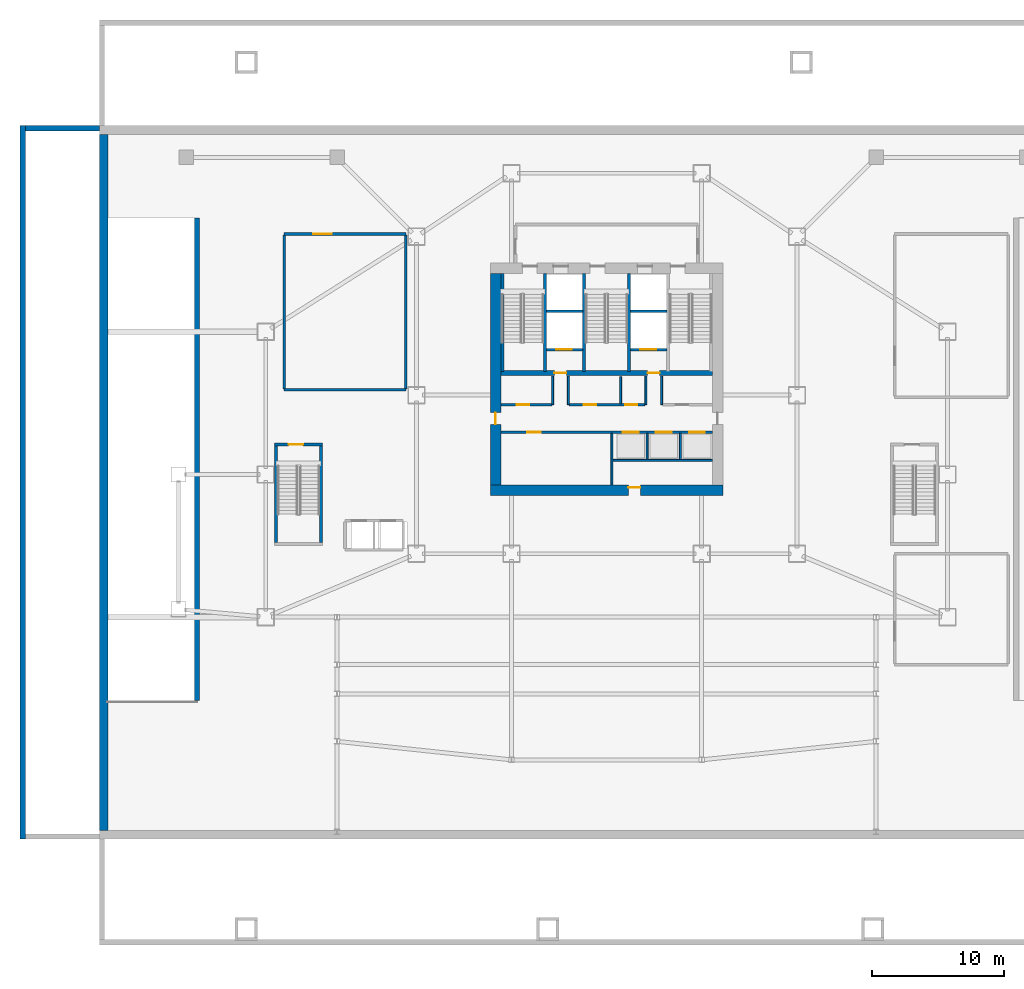
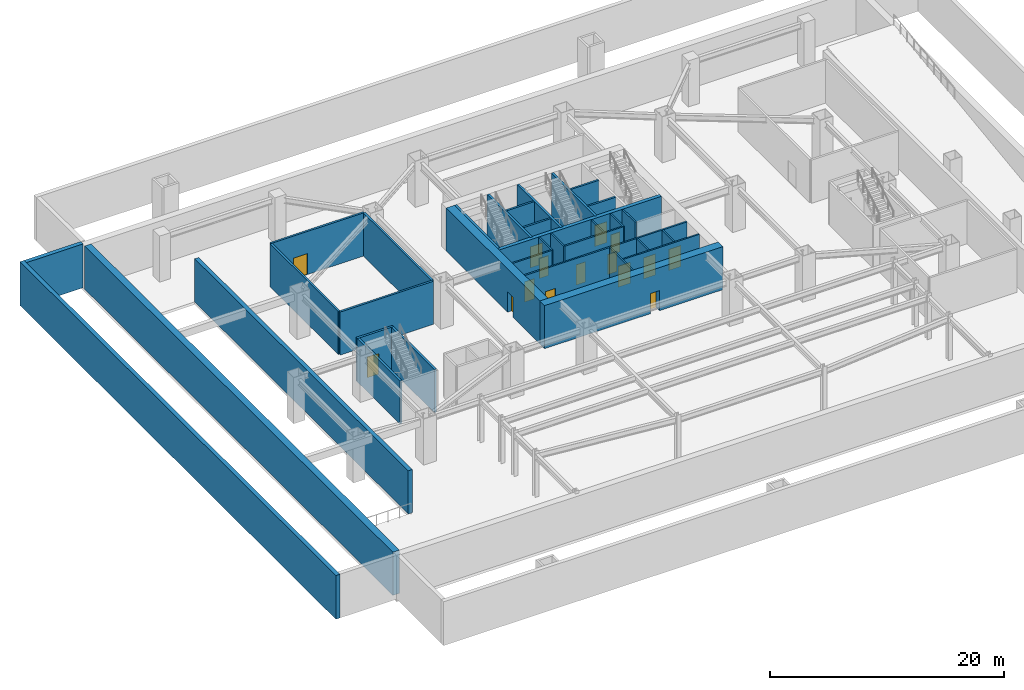
# One storey, part 7 of 15: 34 walls, 15 doors, 15 openings.
"""IFC4 building model written with IfcOpenShell, lengths in metres."""

from ifc_helpers import new_model, si_unit, direction, frame, frame_2d, origin, place, context, subcontext, project, spatial, rectangle, extrude, material, layer, layer_set, type_object, element, fill, save


model = new_model("IFC4")

# Units and contexts
model_context = context("Model", 3, precision=1e-05, world=origin(), true_north=direction((0.0, 1.0)))
body_context = subcontext(model_context, "Body", "Model", "MODEL_VIEW")
ifc_project = project(units=[si_unit("LENGTHUNIT", "METRE"), si_unit("AREAUNIT", "SQUARE_METRE"), si_unit("VOLUMEUNIT", "CUBIC_METRE"), si_unit("PLANEANGLEUNIT", "RADIAN"), si_unit("MASSUNIT", "GRAM", prefix="KILO")], contexts=[model_context])

# Site, building, storey
site_placement = place(None, origin())
site = spatial("IfcSite", under=ifc_project, at=site_placement, CompositionType="ELEMENT")
building_placement = place(site_placement, origin())
building = spatial("IfcBuilding", under=site, at=building_placement, Name="Haolan Belvedere Tower", CompositionType="ELEMENT")
storey_placement = place(building_placement, frame((0.0, 0.0, -4.800048828125)))
storey = spatial("IfcBuildingStorey", under=building, at=storey_placement, Name="B1", CompositionType="ELEMENT", Elevation=-4.800048828125)

# Wall, opening, door
ifc_material_1 = material(Name="Concrete C70/85", Category="concrete")
ifc_layer_1 = layer(ifc_material_1, 0.800048828125, Name="Concrete C70/85")
ifc_layer_set_1 = layer_set([ifc_layer_1], Name="Concrete C70/85")
wall_type_1 = type_object("IfcWallType", Name="WL-CORE-800", PredefinedType="SHEAR", material=ifc_layer_set_1)
wall_1_placement = place(storey_placement, frame((29.60009765625, 26.39990234375, 0.0), z_axis=(0.0, 0.0, 1.0), x_axis=(1.0, 0.0, 0.0)))
wall_1 = element("IfcWall", 1, at=wall_1_placement, inside=storey, type_object=wall_type_1, Name="B1 central core south shear wall", PredefinedType="SHEAR", context=body_context, shape_type="SweptSolid", body=[
    extrude(rectangle(XDim=17.599853515625, YDim=0.800048828125, at=frame_2d((8.7998046875, 0.0))), origin(), (0.0, 0.0, 1.0), 4.5),
])
opening_1_placement = place(wall_1_placement, frame((11.349853515625, 0.0, 0.0), z_axis=(0.0, 0.0, 1.0), x_axis=(-1.0, 0.0, 0.0)))
opening_1 = element("IfcOpeningElement", 2, at=opening_1_placement, cuts=wall_1, Name="Opening FD-05", PredefinedType="OPENING", context=body_context, shape_type="SweptSolid", body=[
    extrude(rectangle(XDim=0.89990234375, YDim=2.10009765625, at=frame_2d((0.449951171875, 1.050048828125))), frame((0.0, 0.409912109375, 0.0), z_axis=(0.0, -1.0, 0.0), x_axis=(1.0, 0.0, 0.0)), (0.0, 0.0, 1.0), 0.820068359375),
])
ifc_material_2 = material(Name="Galvanised fire-rated steel", Category="steel")
door_type_1 = type_object("IfcDoorType", Name="DR-FD60-900", OperationType="NOTDEFINED", PredefinedType="DOOR", material=ifc_material_2)
door_1_placement = place(opening_1_placement, origin())
door_1 = element("IfcDoor", 3, at=door_1_placement, inside=storey, type_object=door_type_1, Name="B1 door CD-B1-SCVE", OperationType="SINGLE_SWING_RIGHT", OverallHeight=2.10009765625, OverallWidth=0.89990234375, PredefinedType="DOOR", context=body_context, shape_type="SweptSolid", body=[
    extrude(rectangle(XDim=0.89990234375, YDim=2.10009765625, at=frame_2d((0.449951171875, 1.050048828125))), frame((0.0, -0.19482421875, 0.0), z_axis=(0.0, -1.0, 0.0), x_axis=(1.0, 0.0, 0.0)), (0.0, 0.0, 1.0), 0.050048828125),
])
fill(opening_1, door_1)

wall_2_placement = place(storey_placement, frame((30.0, 26.800048828125, 0.0), z_axis=(0.0, 0.0, 1.0), x_axis=(0.0, 1.0, 0.0)))
wall_2 = element("IfcWall", 4, at=wall_2_placement, inside=storey, type_object=wall_type_1, Name="B1 central core west shear wall", PredefinedType="SHEAR", context=body_context, shape_type="SweptSolid", body=[
    extrude(rectangle(XDim=16.0, YDim=0.800048828125, at=frame_2d((8.0, 0.0))), origin(), (0.0, 0.0, 1.0), 4.5),
])
opening_2_placement = place(wall_2_placement, frame((4.590087890625, 0.0, 0.0)))
opening_2 = element("IfcOpeningElement", 5, at=opening_2_placement, cuts=wall_2, Name="Opening FD-05", PredefinedType="OPENING", context=body_context, shape_type="SweptSolid", body=[
    extrude(rectangle(XDim=0.89990234375, YDim=2.10009765625, at=frame_2d((0.449951171875, 1.050048828125))), frame((0.0, 0.409912109375, 0.0), z_axis=(0.0, -1.0, 0.0), x_axis=(1.0, 0.0, 0.0)), (0.0, 0.0, 1.0), 0.820068359375),
])
door_2_placement = place(opening_2_placement, origin())
door_2 = element("IfcDoor", 6, at=door_2_placement, inside=storey, type_object=door_type_1, Name="B1 door CD-B1-PLL-W", OperationType="SINGLE_SWING_LEFT", OverallHeight=2.10009765625, OverallWidth=0.89990234375, PredefinedType="DOOR", context=body_context, shape_type="SweptSolid", body=[
    extrude(rectangle(XDim=0.89990234375, YDim=2.10009765625, at=frame_2d((0.449951171875, 1.050048828125))), frame((0.0, 0.02490234375, 0.0), z_axis=(0.0, -1.0, 0.0), x_axis=(1.0, 0.0, 0.0)), (0.0, 0.0, 1.0), 0.050048828125),
])
fill(opening_2, door_2)

ifc_material_3 = material(Name="Concrete C40/50", Category="concrete")
ifc_layer_2 = layer(ifc_material_3, 0.199951171875, Name="Concrete C40/50")
ifc_layer_set_2 = layer_set([ifc_layer_2], Name="Concrete C40/50")
wall_type_2 = type_object("IfcWallType", Name="WL-FIRE-200", PredefinedType="SOLIDWALL", material=ifc_layer_set_2)
wall_3_placement = place(storey_placement, frame((14.0, 45.800048828125, 0.0), z_axis=(0.0, 0.0, 1.0), x_axis=(1.0, 0.0, 0.0)))
wall_3 = element("IfcWall", 7, at=wall_3_placement, inside=storey, type_object=wall_type_2, Name="B1 interior partition IW-B1-BICYCLE-N", PredefinedType="SOLIDWALL", context=body_context, shape_type="SweptSolid", body=[
    extrude(rectangle(XDim=9.199951171875, YDim=0.199951171875, at=frame_2d((4.60009765625, 0.0))), origin(), (0.0, 0.0, 1.0), 4.5),
])
opening_3_placement = place(wall_3_placement, frame((2.199951171875, 0.0, 0.0)))
opening_3 = element("IfcOpeningElement", 8, at=opening_3_placement, cuts=wall_3, Name="Opening FD-01", PredefinedType="OPENING", context=body_context, shape_type="SweptSolid", body=[
    extrude(rectangle(XDim=1.39990234375, YDim=2.199951171875, at=frame_2d((0.699951171875, 1.10009765625))), frame((0.0, 0.10986328125, 0.0), z_axis=(0.0, -1.0, 0.0), x_axis=(1.0, 0.0, 0.0)), (0.0, 0.0, 1.0), 0.219970703125),
])
door_type_2 = type_object("IfcDoorType", Name="DR-FD90-1400", OperationType="DOUBLE_DOOR_SINGLE_SWING", PredefinedType="DOOR", material=ifc_material_2)
door_3_placement = place(opening_3_placement, origin())
door_3 = element("IfcDoor", 9, at=door_3_placement, inside=storey, type_object=door_type_2, Name="B1 door ID-B1-BICYCLE", OperationType="DOUBLE_DOOR_SINGLE_SWING", OverallHeight=2.199951171875, OverallWidth=1.39990234375, PredefinedType="DOOR", context=body_context, shape_type="SweptSolid", body=[
    extrude(rectangle(XDim=1.39990234375, YDim=2.199951171875, at=frame_2d((0.699951171875, 1.10009765625))), frame((0.0, 0.02490234375, 0.0), z_axis=(0.0, -1.0, 0.0), x_axis=(1.0, 0.0, 0.0)), (0.0, 0.0, 1.0), 0.050048828125),
])
fill(opening_3, door_3)

# Walls
wall_4_placement = place(storey_placement, frame((14.0, 34.0, 0.0), z_axis=(0.0, 0.0, 1.0), x_axis=(1.0, 0.0, 0.0)))
element("IfcWall", 10, at=wall_4_placement, inside=storey, type_object=wall_type_2, Name="B1 interior partition IW-B1-BICYCLE-S", PredefinedType="SOLIDWALL", context=body_context, shape_type="SweptSolid", body=[
    extrude(rectangle(XDim=9.199951171875, YDim=0.199951171875, at=frame_2d((4.60009765625, 0.0))), origin(), (0.0, 0.0, 1.0), 4.5),
])
for number, where, z_axis, x_axis, name in (
    (11, (14.0, 34.0849609375, 0.0), (0.0, 0.0, 1.0), (0.0, 1.0, 0.0), "B1 interior partition IW-B1-BICYCLE-W"),
    (12, (23.199951171875, 34.0849609375, 0.0), (0.0, 0.0, 1.0), (0.0, 1.0, 0.0), "B1 interior partition IW-B1-BICYCLE-E"),
):
    element("IfcWall", number, at=place(storey_placement, frame(where, z_axis=z_axis, x_axis=x_axis)), inside=storey, type_object=wall_type_2, Name=name, PredefinedType="SOLIDWALL", context=body_context, shape_type="SweptSolid", body=[
        extrude(rectangle(XDim=11.630126953125, YDim=0.199951171875, at=frame_2d((5.81494140625, 0.0))), origin(), (0.0, 0.0, 1.0), 4.5),
    ])
ifc_material_4 = material(Name="Double gypsum acoustic stud partition", Category="masonry")
ifc_layer_3 = layer(ifc_material_4, 0.14990234375, Name="Double gypsum acoustic stud partition")
ifc_layer_set_3 = layer_set([ifc_layer_3], Name="Double gypsum acoustic stud partition")
wall_type_3 = type_object("IfcWallType", Name="WL-PART-150", PredefinedType="PARTITIONING", material=ifc_layer_set_3)
wall_5_placement = place(storey_placement, frame((38.860107421875, 28.659912109375, 0.0), z_axis=(0.0, 0.0, 1.0), x_axis=(1.0, 0.0, 0.0)))
element("IfcWall", 13, at=wall_5_placement, inside=storey, type_object=wall_type_3, Name="B1 interior partition IW-B1-SSTRIP-E", PredefinedType="PARTITIONING", context=body_context, shape_type="SweptSolid", body=[
    extrude(rectangle(XDim=7.539794921875, YDim=0.14990234375, at=frame_2d((3.77001953125, 0.0))), origin(), (0.0, 0.0, 1.0), 4.5),
])
ifc_material_5 = material(Name="Concrete C50/60", Category="concrete")
ifc_layer_4 = layer(ifc_material_5, 0.64990234375, Name="Concrete C50/60")
ifc_layer_set_4 = layer_set([ifc_layer_4], Name="Concrete C50/60")
wall_type_4 = type_object("IfcWallType", Name="WL-RET-650", PredefinedType="USERDEFINED", material=ifc_layer_set_4)
wall_6_placement = place(storey_placement, frame((0.324951171875, 0.64990234375, 0.0), z_axis=(0.0, 0.0, 1.0), x_axis=(0.0, 1.0, 0.0)))
element("IfcWall", 14, at=wall_6_placement, inside=storey, type_object=wall_type_4, Name="B1 perimeter retaining wall W", ObjectType="RETAINING", PredefinedType="USERDEFINED", context=body_context, shape_type="SweptSolid", body=[
    extrude(rectangle(XDim=52.7001953125, YDim=0.64990234375, at=frame_2d((26.35009765625, 0.0))), origin(), (0.0, 0.0, 1.0), 4.5),
])
ifc_layer_5 = layer(ifc_material_5, 0.39990234375, Name="Concrete C50/60")
ifc_layer_set_5 = layer_set([ifc_layer_5], Name="Concrete C50/60")
wall_type_5 = type_object("IfcWallType", Name="WL-RMP-400", PredefinedType="SOLIDWALL", material=ifc_layer_set_5)
wall_7_placement = place(storey_placement, frame((7.39990234375, 10.5, 0.0), z_axis=(0.0, 0.0, 1.0), x_axis=(0.0, 1.0, 0.0)))
element("IfcWall", 15, at=wall_7_placement, inside=storey, type_object=wall_type_5, Name="B1 west vehicle ramp structural wall", PredefinedType="SOLIDWALL", context=body_context, shape_type="SweptSolid", body=[
    extrude(rectangle(XDim=36.5, YDim=0.39990234375, at=frame_2d((18.25, 0.0))), origin(), (0.0, 0.0, 1.0), 4.5),
])
wall_8_placement = place(storey_placement, frame((-5.800048828125, 0.0, 0.0), z_axis=(0.0, 0.0, 1.0), x_axis=(0.0, 1.0, 0.0)))
element("IfcWall", 16, at=wall_8_placement, inside=storey, type_object=wall_type_5, Name="B1 apron support wall APW-W-OUT", PredefinedType="SOLIDWALL", context=body_context, shape_type="SweptSolid", body=[
    extrude(rectangle(XDim=54.0, YDim=0.39990234375, at=frame_2d((27.0, 0.0))), origin(), (0.0, 0.0, 1.0), 4.570068359375),
])
wall_9_placement = place(storey_placement, frame((-5.60009765625, 53.800048828125, 0.0), z_axis=(0.0, 0.0, 1.0), x_axis=(1.0, 0.0, 0.0)))
element("IfcWall", 17, at=wall_9_placement, inside=storey, type_object=wall_type_5, Name="B1 apron support wall APW-W-N", PredefinedType="SOLIDWALL", context=body_context, shape_type="SweptSolid", body=[
    extrude(rectangle(XDim=5.60009765625, YDim=0.39990234375, at=frame_2d((2.800048828125, 0.0))), origin(), (0.0, 0.0, 1.0), 4.570068359375),
])
ifc_material_6 = material(Name="Gypsum fire shaftwall assembly", Category="masonry")
ifc_layer_6 = layer(ifc_material_6, 0.1650390625, Name="Gypsum fire shaftwall assembly")
ifc_layer_set_6 = layer_set([ifc_layer_6], Name="Gypsum fire shaftwall assembly")
wall_type_6 = type_object("IfcWallType", Name="WL-SHAFT-160", PredefinedType="SOLIDWALL", material=ifc_layer_set_6)
for number, where, z_axis, x_axis, name in (
    (18, (34.31005859375, 32.8798828125, 0.0), (0.0, 0.0, 1.0), (0.0, 1.0, 0.0), "B1 interior partition IW-B1-SVP-W-SV1"),
    (19, (35.510009765625, 32.8798828125, 0.0), (0.0, 0.0, 1.0), (0.0, 1.0, 0.0), "B1 interior partition IW-B1-SVP-E-SV1"),
    (20, (41.3701171875, 32.8798828125, 0.0), (0.0, 0.0, 1.0), (0.0, 1.0, 0.0), "B1 interior partition IW-B1-SVP-W-SV2"),
    (21, (42.570068359375, 32.8798828125, 0.0), (0.0, 0.0, 1.0), (0.0, 1.0, 0.0), "B1 interior partition IW-B1-SVP-E-SV2"),
):
    element("IfcWall", number, at=place(storey_placement, frame(where, z_axis=z_axis, x_axis=x_axis)), inside=storey, type_object=wall_type_6, Name=name, PredefinedType="SOLIDWALL", context=body_context, shape_type="SweptSolid", body=[
        extrude(rectangle(XDim=2.170166015625, YDim=0.14990234375, at=frame_2d((1.0849609375, 0.0))), origin(), (0.0, 0.0, 1.0), 4.5),
    ])

# Wall, opening, door
wall_10_placement = place(storey_placement, frame((30.39990234375, 32.8798828125, 0.0), z_axis=(0.0, 0.0, 1.0), x_axis=(1.0, 0.0, 0.0)))
wall_10 = element("IfcWall", 22, at=wall_10_placement, inside=storey, type_object=wall_type_6, Name="B1 interior partition IW-B1-ROW-PN1", PredefinedType="SOLIDWALL", context=body_context, shape_type="SweptSolid", body=[
    extrude(rectangle(XDim=3.85009765625, YDim=0.159912109375, at=frame_2d((1.925048828125, 0.0))), origin(), (0.0, 0.0, 1.0), 4.5),
])
opening_4_placement = place(wall_10_placement, frame((2.14990234375, 0.0, 0.0), z_axis=(0.0, 0.0, 1.0), x_axis=(-1.0, 0.0, 0.0)))
opening_4 = element("IfcOpeningElement", 23, at=opening_4_placement, cuts=wall_10, Name="Opening ID-03", PredefinedType="OPENING", context=body_context, shape_type="SweptSolid", body=[
    extrude(rectangle(XDim=0.949951171875, YDim=2.1201171875, at=frame_2d((0.47509765625, 1.06005859375))), frame((0.0, 0.08984375, 0.0), z_axis=(0.0, -1.0, 0.0), x_axis=(1.0, 0.0, 0.0)), (0.0, 0.0, 1.0), 0.179931640625),
])
ifc_material_7 = material(Name="Painted solid-core timber", Category="wood")
door_type_3 = type_object("IfcDoorType", Name="DR-INT-950", OperationType="NOTDEFINED", PredefinedType="DOOR", material=ifc_material_7)
door_4_placement = place(opening_4_placement, origin())
door_4 = element("IfcDoor", 24, at=door_4_placement, inside=storey, type_object=door_type_3, Name="B1 door ID-B1-CD-BNW", OperationType="SINGLE_SWING_LEFT", OverallHeight=2.1201171875, OverallWidth=0.949951171875, PredefinedType="DOOR", context=body_context, shape_type="SweptSolid", body=[
    extrude(rectangle(XDim=0.949951171875, YDim=2.1201171875, at=frame_2d((0.47509765625, 1.06005859375))), frame((0.0, 0.02490234375, 0.0), z_axis=(0.0, -1.0, 0.0), x_axis=(1.0, 0.0, 0.0)), (0.0, 0.0, 1.0), 0.050048828125),
])
fill(opening_4, door_4)

# Wall, openings, doors
wall_11_placement = place(storey_placement, frame((35.570068359375, 32.8798828125, 0.0), z_axis=(0.0, 0.0, 1.0), x_axis=(1.0, 0.0, 0.0)))
wall_11 = element("IfcWall", 25, at=wall_11_placement, inside=storey, type_object=wall_type_6, Name="B1 interior partition IW-B1-ROW-PN2", PredefinedType="SOLIDWALL", context=body_context, shape_type="SweptSolid", body=[
    extrude(rectangle(XDim=5.739990234375, YDim=0.159912109375, at=frame_2d((2.8701171875, 0.0))), origin(), (0.0, 0.0, 1.0), 4.5),
])
opening_5_placement = place(wall_11_placement, frame((2.050048828125, 0.0, 0.0), z_axis=(0.0, 0.0, 1.0), x_axis=(-1.0, 0.0, 0.0)))
opening_5 = element("IfcOpeningElement", 26, at=opening_5_placement, cuts=wall_11, Name="Opening ID-03", PredefinedType="OPENING", context=body_context, shape_type="SweptSolid", body=[
    extrude(rectangle(XDim=0.949951171875, YDim=2.1201171875, at=frame_2d((0.47509765625, 1.06005859375))), frame((0.0, 0.08984375, 0.0), z_axis=(0.0, -1.0, 0.0), x_axis=(1.0, 0.0, 0.0)), (0.0, 0.0, 1.0), 0.179931640625),
])
opening_6_placement = place(wall_11_placement, frame((5.14990234375, 0.0, 0.0), z_axis=(0.0, 0.0, 1.0), x_axis=(-1.0, 0.0, 0.0)))
opening_6 = element("IfcOpeningElement", 27, at=opening_6_placement, cuts=wall_11, Name="Opening FD-05", PredefinedType="OPENING", context=body_context, shape_type="SweptSolid", body=[
    extrude(rectangle(XDim=0.89990234375, YDim=2.10009765625, at=frame_2d((0.449951171875, 1.050048828125))), frame((0.0, 0.08984375, 0.0), z_axis=(0.0, -1.0, 0.0), x_axis=(1.0, 0.0, 0.0)), (0.0, 0.0, 1.0), 0.179931640625),
])
door_5_placement = place(opening_6_placement, origin())
door_5 = element("IfcDoor", 28, at=door_5_placement, inside=storey, type_object=door_type_1, Name="B1 door ID-B1-CD-RPH1", OperationType="SINGLE_SWING_RIGHT", OverallHeight=2.10009765625, OverallWidth=0.89990234375, PredefinedType="DOOR", context=body_context, shape_type="SweptSolid", body=[
    extrude(rectangle(XDim=0.89990234375, YDim=2.10009765625, at=frame_2d((0.449951171875, 1.050048828125))), frame((0.0, 0.02490234375, 0.0), z_axis=(0.0, -1.0, 0.0), x_axis=(1.0, 0.0, 0.0)), (0.0, 0.0, 1.0), 0.050048828125),
])
fill(opening_6, door_5)
door_6_placement = place(opening_5_placement, origin())
door_6 = element("IfcDoor", 29, at=door_6_placement, inside=storey, type_object=door_type_3, Name="B1 door ID-B1-CD-BNM", OperationType="SINGLE_SWING_RIGHT", OverallHeight=2.1201171875, OverallWidth=0.949951171875, PredefinedType="DOOR", context=body_context, shape_type="SweptSolid", body=[
    extrude(rectangle(XDim=0.949951171875, YDim=2.1201171875, at=frame_2d((0.47509765625, 1.06005859375))), frame((0.0, 0.02490234375, 0.0), z_axis=(0.0, -1.0, 0.0), x_axis=(1.0, 0.0, 0.0)), (0.0, 0.0, 1.0), 0.050048828125),
])
fill(opening_5, door_6)

# Wall
wall_12_placement = place(storey_placement, frame((39.469970703125, 32.949951171875, 0.0), z_axis=(0.0, 0.0, 1.0), x_axis=(0.0, 1.0, 0.0)))
element("IfcWall", 30, at=wall_12_placement, inside=storey, type_object=wall_type_6, Name="B1 interior partition IW-B1-DIV-PL4B", PredefinedType="SOLIDWALL", context=body_context, shape_type="SweptSolid", body=[
    extrude(rectangle(XDim=2.050048828125, YDim=0.14990234375, at=frame_2d((1.02490234375, 0.0))), origin(), (0.0, 0.0, 1.0), 4.5),
])

# Wall, openings, doors
wall_13_placement = place(storey_placement, frame((30.39990234375, 30.800048828125, 0.0), z_axis=(0.0, 0.0, 1.0), x_axis=(1.0, 0.0, 0.0)))
wall_13 = element("IfcWall", 31, at=wall_13_placement, inside=storey, type_object=wall_type_6, Name="B1 interior partition IW-B1-ROW-PS", PredefinedType="SOLIDWALL", context=body_context, shape_type="SweptSolid", body=[
    extrude(rectangle(XDim=16.0, YDim=0.159912109375, at=frame_2d((8.0, 0.0))), origin(), (0.0, 0.0, 1.0), 4.5),
])
opening_7_placement = place(wall_13_placement, frame((2.0, 0.0, 0.0)))
opening_7 = element("IfcOpeningElement", 32, at=opening_7_placement, cuts=wall_13, Name="Opening FD-04", PredefinedType="OPENING", context=body_context, shape_type="SweptSolid", body=[
    extrude(rectangle(XDim=1.0, YDim=2.10009765625, at=frame_2d((0.5, 1.050048828125))), frame((0.0, 0.08984375, 0.0), z_axis=(0.0, -1.0, 0.0), x_axis=(1.0, 0.0, 0.0)), (0.0, 0.0, 1.0), 0.179931640625),
])
opening_8_placement = place(wall_13_placement, frame((9.219970703125, 0.0, 0.0)))
opening_8 = element("IfcOpeningElement", 33, at=opening_8_placement, cuts=wall_13, Name="Opening LD-02", PredefinedType="OPENING", context=body_context, shape_type="SweptSolid", body=[
    extrude(rectangle(XDim=1.199951171875, YDim=2.199951171875, at=frame_2d((0.60009765625, 1.10009765625))), frame((0.0, 0.08984375, 0.0), z_axis=(0.0, -1.0, 0.0), x_axis=(1.0, 0.0, 0.0)), (0.0, 0.0, 1.0), 0.179931640625),
])
opening_9_placement = place(wall_13_placement, frame((11.72998046875, 0.0, 0.0)))
opening_9 = element("IfcOpeningElement", 34, at=opening_9_placement, cuts=wall_13, Name="Opening LD-02", PredefinedType="OPENING", context=body_context, shape_type="SweptSolid", body=[
    extrude(rectangle(XDim=1.199951171875, YDim=2.199951171875, at=frame_2d((0.60009765625, 1.10009765625))), frame((0.0, 0.08984375, 0.0), z_axis=(0.0, -1.0, 0.0), x_axis=(1.0, 0.0, 0.0)), (0.0, 0.0, 1.0), 0.179931640625),
])
opening_10_placement = place(wall_13_placement, frame((14.239990234375, 0.0, 0.0)))
opening_10 = element("IfcOpeningElement", 35, at=opening_10_placement, cuts=wall_13, Name="Opening LD-02", PredefinedType="OPENING", context=body_context, shape_type="SweptSolid", body=[
    extrude(rectangle(XDim=1.199951171875, YDim=2.199951171875, at=frame_2d((0.60009765625, 1.10009765625))), frame((0.0, 0.08984375, 0.0), z_axis=(0.0, -1.0, 0.0), x_axis=(1.0, 0.0, 0.0)), (0.0, 0.0, 1.0), 0.179931640625),
])
door_type_4 = type_object("IfcDoorType", Name="DR-FD90-1000", OperationType="NOTDEFINED", PredefinedType="DOOR", material=ifc_material_2)
door_7_placement = place(opening_7_placement, origin())
door_7 = element("IfcDoor", 36, at=door_7_placement, inside=storey, type_object=door_type_4, Name="B1 door ID-B1-CD-BS", OperationType="SINGLE_SWING_LEFT", OverallHeight=2.10009765625, OverallWidth=1.0, PredefinedType="DOOR", context=body_context, shape_type="SweptSolid", body=[
    extrude(rectangle(XDim=1.0, YDim=2.10009765625, at=frame_2d((0.5, 1.050048828125))), frame((0.0, 0.02490234375, 0.0), z_axis=(0.0, -1.0, 0.0), x_axis=(1.0, 0.0, 0.0)), (0.0, 0.0, 1.0), 0.050048828125),
])
fill(opening_7, door_7)
ifc_material_8 = material(Name="Brushed champagne stainless steel 316L", Category="steel")
door_type_5 = type_object("IfcDoorType", Name="DR-LIFT-1200", OperationType="SLIDING_TO_RIGHT", PredefinedType="DOOR", material=ifc_material_8)
door_8_placement = place(opening_8_placement, origin())
door_8 = element("IfcDoor", 37, at=door_8_placement, inside=storey, type_object=door_type_5, Name="B1 door ID-B1-LD-OB1", OperationType="SLIDING_TO_RIGHT", OverallHeight=2.199951171875, OverallWidth=1.199951171875, PredefinedType="DOOR", context=body_context, shape_type="SweptSolid", body=[
    extrude(rectangle(XDim=1.199951171875, YDim=2.199951171875, at=frame_2d((0.60009765625, 1.10009765625))), frame((0.0, 0.02490234375, 0.0), z_axis=(0.0, -1.0, 0.0), x_axis=(1.0, 0.0, 0.0)), (0.0, 0.0, 1.0), 0.050048828125),
])
fill(opening_8, door_8)
door_9_placement = place(opening_9_placement, origin())
door_9 = element("IfcDoor", 38, at=door_9_placement, inside=storey, type_object=door_type_5, Name="B1 door ID-B1-LD-OB2", OperationType="SLIDING_TO_RIGHT", OverallHeight=2.199951171875, OverallWidth=1.199951171875, PredefinedType="DOOR", context=body_context, shape_type="SweptSolid", body=[
    extrude(rectangle(XDim=1.199951171875, YDim=2.199951171875, at=frame_2d((0.60009765625, 1.10009765625))), frame((0.0, 0.02490234375, 0.0), z_axis=(0.0, -1.0, 0.0), x_axis=(1.0, 0.0, 0.0)), (0.0, 0.0, 1.0), 0.050048828125),
])
fill(opening_9, door_9)
door_10_placement = place(opening_10_placement, origin())
door_10 = element("IfcDoor", 39, at=door_10_placement, inside=storey, type_object=door_type_5, Name="B1 door ID-B1-LD-OB3", OperationType="SLIDING_TO_RIGHT", OverallHeight=2.199951171875, OverallWidth=1.199951171875, PredefinedType="DOOR", context=body_context, shape_type="SweptSolid", body=[
    extrude(rectangle(XDim=1.199951171875, YDim=2.199951171875, at=frame_2d((0.60009765625, 1.10009765625))), frame((0.0, 0.02490234375, 0.0), z_axis=(0.0, -1.0, 0.0), x_axis=(1.0, 0.0, 0.0)), (0.0, 0.0, 1.0), 0.050048828125),
])
fill(opening_10, door_10)

# Walls
wall_14_placement = place(storey_placement, frame((38.800048828125, 26.81005859375, 0.0), z_axis=(0.0, 0.0, 1.0), x_axis=(0.0, 1.0, 0.0)))
element("IfcWall", 40, at=wall_14_placement, inside=storey, type_object=wall_type_6, Name="B1 interior partition IW-B1-DIV-PMB", PredefinedType="SOLIDWALL", context=body_context, shape_type="SweptSolid", body=[
    extrude(rectangle(XDim=3.925048828125, YDim=0.14990234375, at=frame_2d((1.96240234375, 0.0))), origin(), (0.0, 0.0, 1.0), 4.5),
])
for number, where, z_axis, x_axis, name in (
    (41, (41.469970703125, 28.75, 0.0), (0.0, 0.0, 1.0), (0.0, 1.0, 0.0), "B1 interior partition IW-B1-DIV-OB1"),
    (42, (43.97998046875, 28.75, 0.0), (0.0, 0.0, 1.0), (0.0, 1.0, 0.0), "B1 interior partition IW-B1-DIV-OB2"),
):
    element("IfcWall", number, at=place(storey_placement, frame(where, z_axis=z_axis, x_axis=x_axis)), inside=storey, type_object=wall_type_6, Name=name, PredefinedType="SOLIDWALL", context=body_context, shape_type="SweptSolid", body=[
        extrude(rectangle(XDim=1.985107421875, YDim=0.14990234375, at=frame_2d((0.99267578125, 0.0))), origin(), (0.0, 0.0, 1.0), 4.5),
    ])
ifc_material_9 = material(Name="Precast concrete C40/50", Category="concrete")
ifc_layer_7 = layer(ifc_material_9, 0.179931640625, Name="Precast concrete C40/50")
ifc_layer_set_7 = layer_set([ifc_layer_7], Name="Precast concrete C40/50")
wall_type_7 = type_object("IfcWallType", Name="WL-SHAFT-180", PredefinedType="SOLIDWALL", material=ifc_layer_set_7)
for number, where, z_axis, x_axis, name in (
    (43, (33.8349609375, 39.949951171875, 0.0), (0.0, 0.0, 1.0), (1.0, 0.0, 0.0), "B1 interior partition IW-B1-FF1-S"),
    (44, (40.195068359375, 39.949951171875, 0.0), (0.0, 0.0, 1.0), (1.0, 0.0, 0.0), "B1 interior partition IW-B1-FF2-S"),
):
    element("IfcWall", number, at=place(storey_placement, frame(where, z_axis=z_axis, x_axis=x_axis)), inside=storey, type_object=wall_type_7, Name=name, PredefinedType="SOLIDWALL", context=body_context, shape_type="SweptSolid", body=[
        extrude(rectangle(XDim=2.77001953125, YDim=0.179931640625, at=frame_2d((1.385009765625, 0.0))), origin(), (0.0, 0.0, 1.0), 4.5),
    ])

# Wall, opening, door
wall_15_placement = place(storey_placement, frame((33.8349609375, 37.050048828125, 0.0), z_axis=(0.0, 0.0, 1.0), x_axis=(1.0, 0.0, 0.0)))
wall_15 = element("IfcWall", 45, at=wall_15_placement, inside=storey, type_object=wall_type_7, Name="B1 interior partition IW-B1-SV1-S", PredefinedType="SOLIDWALL", context=body_context, shape_type="SweptSolid", body=[
    extrude(rectangle(XDim=2.77001953125, YDim=0.179931640625, at=frame_2d((1.385009765625, 0.0))), origin(), (0.0, 0.0, 1.0), 4.5),
])
opening_11_placement = place(wall_15_placement, frame((1.945068359375, 0.0, 0.0), z_axis=(0.0, 0.0, 1.0), x_axis=(-1.0, 0.0, 0.0)))
opening_11 = element("IfcOpeningElement", 46, at=opening_11_placement, cuts=wall_15, Name="Opening LD-02", PredefinedType="OPENING", context=body_context, shape_type="SweptSolid", body=[
    extrude(rectangle(XDim=1.199951171875, YDim=2.199951171875, at=frame_2d((0.60009765625, 1.10009765625))), frame((0.0, 0.099853515625, 0.0), z_axis=(0.0, -1.0, 0.0), x_axis=(1.0, 0.0, 0.0)), (0.0, 0.0, 1.0), 0.199951171875),
])
door_11_placement = place(opening_11_placement, origin())
door_11 = element("IfcDoor", 47, at=door_11_placement, inside=storey, type_object=door_type_5, Name="B1 door ID-B1-LD-SV1", OperationType="SLIDING_TO_RIGHT", OverallHeight=2.199951171875, OverallWidth=1.199951171875, PredefinedType="DOOR", context=body_context, shape_type="SweptSolid", body=[
    extrude(rectangle(XDim=1.199951171875, YDim=2.199951171875, at=frame_2d((0.60009765625, 1.10009765625))), frame((0.0, 0.02490234375, 0.0), z_axis=(0.0, -1.0, 0.0), x_axis=(1.0, 0.0, 0.0)), (0.0, 0.0, 1.0), 0.050048828125),
])
fill(opening_11, door_11)

wall_16_placement = place(storey_placement, frame((40.195068359375, 37.050048828125, 0.0), z_axis=(0.0, 0.0, 1.0), x_axis=(1.0, 0.0, 0.0)))
wall_16 = element("IfcWall", 48, at=wall_16_placement, inside=storey, type_object=wall_type_7, Name="B1 interior partition IW-B1-SV2-S", PredefinedType="SOLIDWALL", context=body_context, shape_type="SweptSolid", body=[
    extrude(rectangle(XDim=2.77001953125, YDim=0.179931640625, at=frame_2d((1.385009765625, 0.0))), origin(), (0.0, 0.0, 1.0), 4.5),
])
opening_12_placement = place(wall_16_placement, frame((1.945068359375, 0.0, 0.0), z_axis=(0.0, 0.0, 1.0), x_axis=(-1.0, 0.0, 0.0)))
opening_12 = element("IfcOpeningElement", 49, at=opening_12_placement, cuts=wall_16, Name="Opening LD-02", PredefinedType="OPENING", context=body_context, shape_type="SweptSolid", body=[
    extrude(rectangle(XDim=1.199951171875, YDim=2.199951171875, at=frame_2d((0.60009765625, 1.10009765625))), frame((0.0, 0.099853515625, 0.0), z_axis=(0.0, -1.0, 0.0), x_axis=(1.0, 0.0, 0.0)), (0.0, 0.0, 1.0), 0.199951171875),
])
door_12_placement = place(opening_12_placement, origin())
door_12 = element("IfcDoor", 50, at=door_12_placement, inside=storey, type_object=door_type_5, Name="B1 door ID-B1-LD-SV2", OperationType="SLIDING_TO_RIGHT", OverallHeight=2.199951171875, OverallWidth=1.199951171875, PredefinedType="DOOR", context=body_context, shape_type="SweptSolid", body=[
    extrude(rectangle(XDim=1.199951171875, YDim=2.199951171875, at=frame_2d((0.60009765625, 1.10009765625))), frame((0.0, 0.02490234375, 0.0), z_axis=(0.0, -1.0, 0.0), x_axis=(1.0, 0.0, 0.0)), (0.0, 0.0, 1.0), 0.050048828125),
])
fill(opening_12, door_12)

# Walls
ifc_layer_8 = layer(ifc_material_5, 0.219970703125, Name="Concrete C50/60")
ifc_layer_set_8 = layer_set([ifc_layer_8], Name="Concrete C50/60")
wall_type_8 = type_object("IfcWallType", Name="WL-STAIR-220", PredefinedType="SHEAR", material=ifc_layer_set_8)
for number, where, z_axis, x_axis, name in (
    (51, (30.511962890625, 35.389892578125, 0.0), (0.0, 0.0, 1.0), (0.0, 1.0, 0.0), "B1 structural stair core wall ST1W"),
    (52, (33.739990234375, 35.389892578125, 0.0), (0.0, 0.0, 1.0), (0.0, 1.0, 0.0), "B1 structural stair core wall ST1E"),
    (53, (36.699951171875, 35.389892578125, 0.0), (0.0, 0.0, 1.0), (0.0, 1.0, 0.0), "B1 structural stair core wall ST3W"),
    (54, (40.10009765625, 35.389892578125, 0.0), (0.0, 0.0, 1.0), (0.0, 1.0, 0.0), "B1 structural stair core wall ST3E"),
):
    element("IfcWall", number, at=place(storey_placement, frame(where, z_axis=z_axis, x_axis=x_axis)), inside=storey, type_object=wall_type_8, Name=name, PredefinedType="SHEAR", context=body_context, shape_type="SweptSolid", body=[
        extrude(rectangle(XDim=7.41015625, YDim=0.219970703125, at=frame_2d((3.705078125, 0.0))), origin(), (0.0, 0.0, 1.0), 4.5),
    ])

# Wall, opening, door
wall_17_placement = place(storey_placement, frame((13.280029296875, 29.860107421875, 0.0), z_axis=(0.0, 0.0, 1.0), x_axis=(1.0, 0.0, 0.0)))
wall_17 = element("IfcWall", 55, at=wall_17_placement, inside=storey, type_object=wall_type_8, Name="B1 podium stair ST4 structural shaft wall N", PredefinedType="SHEAR", context=body_context, shape_type="SweptSolid", body=[
    extrude(rectangle(XDim=3.619873046875, YDim=0.219970703125, at=frame_2d((1.81005859375, 0.0))), origin(), (0.0, 0.0, 1.0), 4.5),
])
opening_13_placement = place(wall_17_placement, frame((1.050048828125, 0.0, 0.0)))
opening_13 = element("IfcOpeningElement", 56, at=opening_13_placement, cuts=wall_17, Name="Opening FD-03", PredefinedType="OPENING", context=body_context, shape_type="SweptSolid", body=[
    extrude(rectangle(XDim=1.10009765625, YDim=2.14990234375, at=frame_2d((0.550048828125, 1.074951171875))), frame((0.0, 0.119873046875, 0.0), z_axis=(0.0, -1.0, 0.0), x_axis=(1.0, 0.0, 0.0)), (0.0, 0.0, 1.0), 0.239990234375),
])
door_type_6 = type_object("IfcDoorType", Name="DR-FD90-1100", OperationType="NOTDEFINED", PredefinedType="DOOR", material=ifc_material_2)
door_13_placement = place(opening_13_placement, origin())
door_13 = element("IfcDoor", 57, at=door_13_placement, inside=storey, type_object=door_type_6, Name="B1 door ID-B1-D-ST4", OperationType="SINGLE_SWING_LEFT", OverallHeight=2.14990234375, OverallWidth=1.10009765625, PredefinedType="DOOR", context=body_context, shape_type="SweptSolid", body=[
    extrude(rectangle(XDim=1.10009765625, YDim=2.14990234375, at=frame_2d((0.550048828125, 1.074951171875))), frame((0.0, 0.02490234375, 0.0), z_axis=(0.0, -1.0, 0.0), x_axis=(1.0, 0.0, 0.0)), (0.0, 0.0, 1.0), 0.050048828125),
])
fill(opening_13, door_13)

# Walls
for number, where, z_axis, x_axis, name in (
    (58, (13.389892578125, 22.449951171875, 0.0), (0.0, 0.0, 1.0), (0.0, 1.0, 0.0), "B1 podium stair ST4 structural shaft wall W"),
    (59, (16.7900390625, 22.449951171875, 0.0), (0.0, 0.0, 1.0), (0.0, 1.0, 0.0), "B1 podium stair ST4 structural shaft wall E"),
):
    element("IfcWall", number, at=place(storey_placement, frame(where, z_axis=z_axis, x_axis=x_axis)), inside=storey, type_object=wall_type_8, Name=name, PredefinedType="SHEAR", context=body_context, shape_type="SweptSolid", body=[
        extrude(rectangle(XDim=7.300048828125, YDim=0.219970703125, at=frame_2d((3.64990234375, 0.0))), origin(), (0.0, 0.0, 1.0), 4.5),
    ])

# Wall, openings, doors
ifc_material_10 = material(Name="Concrete C60/75", Category="concrete")
ifc_layer_9 = layer(ifc_material_10, 0.360107421875, Name="Concrete C60/75")
ifc_layer_set_9 = layer_set([ifc_layer_9], Name="Concrete C60/75")
wall_type_9 = type_object("IfcWallType", Name="WL-WEB-350", PredefinedType="SHEAR", material=ifc_layer_set_9)
wall_18_placement = place(storey_placement, frame((30.39990234375, 35.2900390625, 0.0), z_axis=(0.0, 0.0, 1.0), x_axis=(1.0, 0.0, 0.0)))
wall_18 = element("IfcWall", 60, at=wall_18_placement, inside=storey, type_object=wall_type_9, Name="B1 central core internal shear web", PredefinedType="SHEAR", context=body_context, shape_type="SweptSolid", body=[
    extrude(rectangle(XDim=16.0, YDim=0.360107421875, at=frame_2d((8.0, 0.0))), origin(), (0.0, 0.0, 1.0), 4.5),
])
opening_14_placement = place(wall_18_placement, frame((4.949951171875, 0.0, 0.0), z_axis=(0.0, 0.0, 1.0), x_axis=(-1.0, 0.0, 0.0)))
opening_14 = element("IfcOpeningElement", 61, at=opening_14_placement, cuts=wall_18, Name="Opening FD-05", PredefinedType="OPENING", context=body_context, shape_type="SweptSolid", body=[
    extrude(rectangle(XDim=0.89990234375, YDim=2.10009765625, at=frame_2d((0.449951171875, 1.050048828125))), frame((0.0, 0.18994140625, 0.0), z_axis=(0.0, -1.0, 0.0), x_axis=(1.0, 0.0, 0.0)), (0.0, 0.0, 1.0), 0.380126953125),
])
opening_15_placement = place(wall_18_placement, frame((12.010009765625, 0.0, 0.0), z_axis=(0.0, 0.0, 1.0), x_axis=(-1.0, 0.0, 0.0)))
opening_15 = element("IfcOpeningElement", 62, at=opening_15_placement, cuts=wall_18, Name="Opening FD-05", PredefinedType="OPENING", context=body_context, shape_type="SweptSolid", body=[
    extrude(rectangle(XDim=0.89990234375, YDim=2.10009765625, at=frame_2d((0.449951171875, 1.050048828125))), frame((0.0, 0.18994140625, 0.0), z_axis=(0.0, -1.0, 0.0), x_axis=(1.0, 0.0, 0.0)), (0.0, 0.0, 1.0), 0.380126953125),
])
door_14_placement = place(opening_14_placement, origin())
door_14 = element("IfcDoor", 63, at=door_14_placement, inside=storey, type_object=door_type_1, Name="B1 door CD-B1-SVL-SV1", OperationType="SINGLE_SWING_RIGHT", OverallHeight=2.10009765625, OverallWidth=0.89990234375, PredefinedType="DOOR", context=body_context, shape_type="SweptSolid", body=[
    extrude(rectangle(XDim=0.89990234375, YDim=2.10009765625, at=frame_2d((0.449951171875, 1.050048828125))), frame((0.0, 0.02490234375, 0.0), z_axis=(0.0, -1.0, 0.0), x_axis=(1.0, 0.0, 0.0)), (0.0, 0.0, 1.0), 0.050048828125),
])
fill(opening_14, door_14)
door_15_placement = place(opening_15_placement, origin())
door_15 = element("IfcDoor", 64, at=door_15_placement, inside=storey, type_object=door_type_1, Name="B1 door CD-B1-SVL-SV2", OperationType="SINGLE_SWING_RIGHT", OverallHeight=2.10009765625, OverallWidth=0.89990234375, PredefinedType="DOOR", context=body_context, shape_type="SweptSolid", body=[
    extrude(rectangle(XDim=0.89990234375, YDim=2.10009765625, at=frame_2d((0.449951171875, 1.050048828125))), frame((0.0, 0.02490234375, 0.0), z_axis=(0.0, -1.0, 0.0), x_axis=(1.0, 0.0, 0.0)), (0.0, 0.0, 1.0), 0.050048828125),
])
fill(opening_15, door_15)

save(model, "model.ifc")
